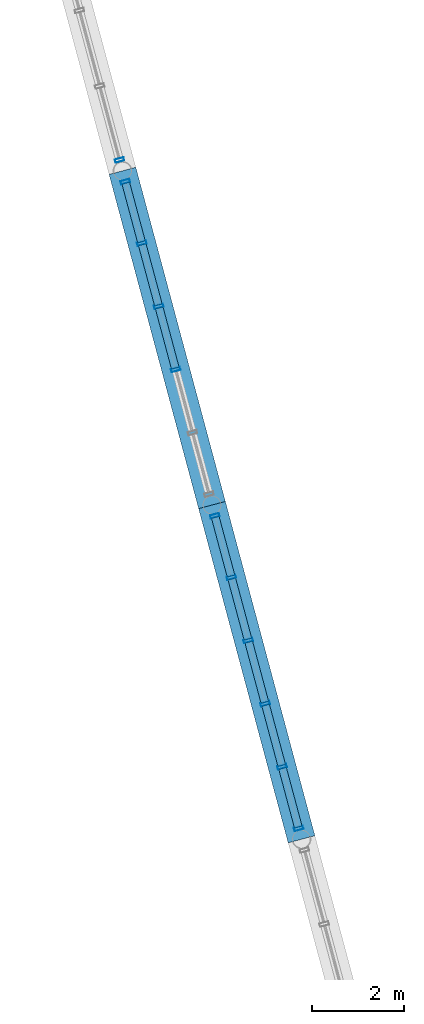
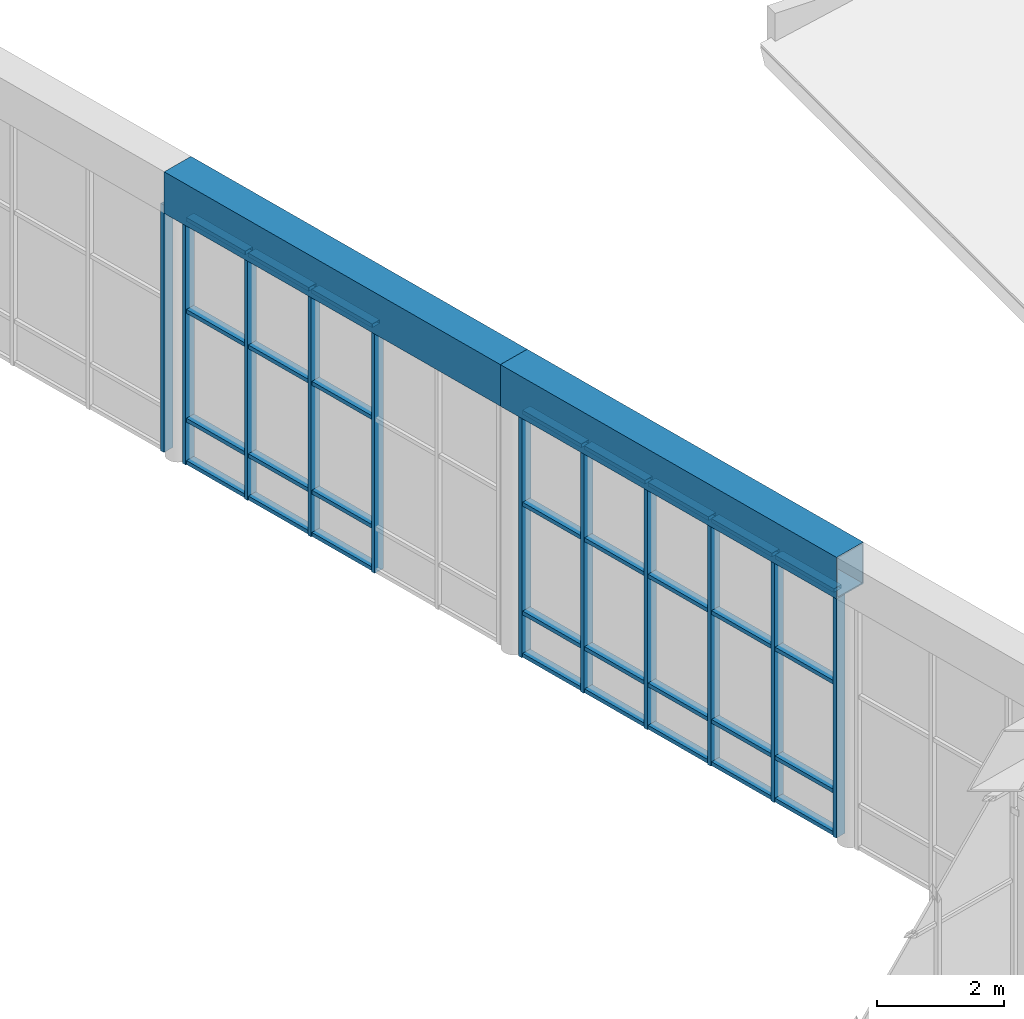
# One storey, part 34 of 55: 43 members, 2 beams, 3 elements without a shape of their own.
"""IFC4 building model written with IfcOpenShell, lengths in metres."""

from ifc_helpers import new_model, si_unit, direction, frame, origin, origin_2d, place, context, subcontext, project, spatial, hollow_rectangle, extrude, material, layer, layer_set, material_profile, profile_set, type_object, element, aggregate, save


model = new_model("IFC4")

# Units and contexts
model_context = context("Model", 3, precision=1e-05, world=origin(), true_north=direction((0.0, 1.0)))
body_context = subcontext(model_context, "Body", "Model", "MODEL_VIEW")
ifc_project = project(units=[si_unit("LENGTHUNIT", "METRE"), si_unit("AREAUNIT", "SQUARE_METRE"), si_unit("VOLUMEUNIT", "CUBIC_METRE"), si_unit("PLANEANGLEUNIT", "RADIAN"), si_unit("MASSUNIT", "GRAM", prefix="KILO")], contexts=[model_context])

# Site, building, storey
site_placement = place(None, origin())
site = spatial("IfcSite", under=ifc_project, at=site_placement, CompositionType="ELEMENT")
building_placement = place(site_placement, origin())
building = spatial("IfcBuilding", under=site, at=building_placement, Name="Ventoquebrada Cableway Terminal", CompositionType="ELEMENT")
storey_placement = place(building_placement, frame((0.0, 0.0, 14.39990234375)))
storey = spatial("IfcBuildingStorey", under=building, at=storey_placement, Name="L03", CompositionType="ELEMENT", Elevation=14.39990234375)

# Curtain wall, members
ifc_material_1 = material(Name="Anodized thermally-broken aluminium", Category="aluminium")
ifc_layer_1 = layer(ifc_material_1, 0.159912109375)
ifc_layer_set_1 = layer_set([ifc_layer_1], Name="Anodized thermally-broken aluminium")
curtain_wall_type_1 = type_object("IfcCurtainWallType", Name="CW-T44", PredefinedType="USERDEFINED", material=ifc_layer_set_1)
curtain_wall_1_placement = place(storey_placement, origin())
curtain_wall_1 = element("IfcCurtainWall", 1, at=curtain_wall_1_placement, inside=storey, type_object=curtain_wall_type_1, Name="Unitised glazed curtain wall CW-130", ObjectType="UNITISED CURTAIN WALL", PredefinedType="USERDEFINED")
ifc_material_profile_1 = material_profile(ifc_material_1, hollow_rectangle(XDim=0.074951171875, YDim=0.199951171875, WallThickness=0.00439453125, at=origin_2d()), Name="CW-MUL-75X200")
ifc_profile_set_1 = profile_set([ifc_material_profile_1], Name="Anodized thermally-broken aluminium")
member_type_1 = type_object("IfcMemberType", Name="CWM-02", PredefinedType="MULLION", material=ifc_profile_set_1)
member_1_placement = place(storey_placement, frame((85.264892578125, 84.64892578125, -0.0078125), z_axis=(0.0, 0.0, 1.0), x_axis=(-0.258734751187, 0.965948408834, 0.0)))
member_1 = element("IfcMember", 2, at=member_1_placement, type_object=member_type_1, Name="Curtain wall mullion FML-0630", PredefinedType="MULLION", context=body_context, shape_type="SweptSolid", body=[
    extrude(hollow_rectangle(XDim=0.074951171875, YDim=0.199951171875, WallThickness=0.00439453125, at=origin_2d()), origin(), (0.0, 0.0, 1.0), 4.762939453125),
])
member_2_placement = place(storey_placement, frame((84.906982421875, 85.98388671875, -0.0078125), z_axis=(0.0, 0.0, 1.0), x_axis=(-0.258734751187, 0.965948408834, 0.0)))
member_2 = element("IfcMember", 3, at=member_2_placement, type_object=member_type_1, Name="Curtain wall mullion FML-0631", PredefinedType="MULLION", context=body_context, shape_type="SweptSolid", body=[
    extrude(hollow_rectangle(XDim=0.074951171875, YDim=0.199951171875, WallThickness=0.00439453125, at=origin_2d()), origin(), (0.0, 0.0, 1.0), 4.762939453125),
])
member_3_placement = place(storey_placement, frame((84.541015625, 87.35205078125, -0.0078125), z_axis=(0.0, 0.0, 1.0), x_axis=(-0.258734751187, 0.965948408834, 0.0)))
member_3 = element("IfcMember", 4, at=member_3_placement, type_object=member_type_1, Name="Curtain wall mullion FML-0632", PredefinedType="MULLION", context=body_context, shape_type="SweptSolid", body=[
    extrude(hollow_rectangle(XDim=0.074951171875, YDim=0.199951171875, WallThickness=0.00439453125, at=origin_2d()), origin(), (0.0, 0.0, 1.0), 4.762939453125),
])
member_4_placement = place(storey_placement, frame((84.174072265625, 88.720947265625, -0.0078125), z_axis=(0.0, 0.0, 1.0), x_axis=(-0.258734751187, 0.965948408834, 0.0)))
member_4 = element("IfcMember", 5, at=member_4_placement, type_object=member_type_1, Name="Curtain wall mullion FML-0633", PredefinedType="MULLION", context=body_context, shape_type="SweptSolid", body=[
    extrude(hollow_rectangle(XDim=0.074951171875, YDim=0.199951171875, WallThickness=0.00439453125, at=origin_2d()), origin(), (0.0, 0.0, 1.0), 4.762939453125),
])
member_5_placement = place(storey_placement, frame((83.80810546875, 90.089111328125, -0.0078125), z_axis=(0.0, 0.0, 1.0), x_axis=(-0.258734751187, 0.965948408834, 0.0)))
member_5 = element("IfcMember", 6, at=member_5_placement, type_object=member_type_1, Name="Curtain wall mullion FML-0634", PredefinedType="MULLION", context=body_context, shape_type="SweptSolid", body=[
    extrude(hollow_rectangle(XDim=0.074951171875, YDim=0.199951171875, WallThickness=0.00439453125, at=origin_2d()), origin(), (0.0, 0.0, 1.0), 4.762939453125),
])
member_6_placement = place(storey_placement, frame((83.449951171875, 91.424072265625, -0.0078125), z_axis=(0.0, 0.0, 1.0), x_axis=(-0.258734751187, 0.965948408834, 0.0)))
member_6 = element("IfcMember", 7, at=member_6_placement, type_object=member_type_1, Name="Curtain wall mullion FML-0635", PredefinedType="MULLION", context=body_context, shape_type="SweptSolid", body=[
    extrude(hollow_rectangle(XDim=0.074951171875, YDim=0.199951171875, WallThickness=0.00439453125, at=origin_2d()), origin(), (0.0, 0.0, 1.0), 4.762939453125),
])

curtain_wall_2_placement = place(storey_placement, origin())
curtain_wall_2 = element("IfcCurtainWall", 8, at=curtain_wall_2_placement, inside=storey, type_object=curtain_wall_type_1, Name="Unitised glazed curtain wall CW-131", ObjectType="UNITISED CURTAIN WALL", PredefinedType="USERDEFINED")
member_7_placement = place(storey_placement, frame((82.60009765625, 94.596923828125, -0.0078125), z_axis=(0.0, 0.0, 1.0), x_axis=(-0.258785327773, 0.96593486019, 0.0)))
member_7 = element("IfcMember", 9, at=member_7_placement, type_object=member_type_1, Name="Curtain wall mullion FML-0638", PredefinedType="MULLION", context=body_context, shape_type="SweptSolid", body=[
    extrude(hollow_rectangle(XDim=0.074951171875, YDim=0.199951171875, WallThickness=0.00439453125, at=origin_2d()), origin(), (0.0, 0.0, 1.0), 4.762939453125),
])
member_8_placement = place(storey_placement, frame((82.23291015625, 95.965087890625, -0.0078125), z_axis=(0.0, 0.0, 1.0), x_axis=(-0.258785327773, 0.96593486019, 0.0)))
member_8 = element("IfcMember", 10, at=member_8_placement, type_object=member_type_1, Name="Curtain wall mullion FML-0639", PredefinedType="MULLION", context=body_context, shape_type="SweptSolid", body=[
    extrude(hollow_rectangle(XDim=0.074951171875, YDim=0.199951171875, WallThickness=0.00439453125, at=origin_2d()), origin(), (0.0, 0.0, 1.0), 4.762939453125),
])
member_9_placement = place(storey_placement, frame((81.866943359375, 97.333984375, -0.0078125), z_axis=(0.0, 0.0, 1.0), x_axis=(-0.258785327773, 0.96593486019, 0.0)))
member_9 = element("IfcMember", 11, at=member_9_placement, type_object=member_type_1, Name="Curtain wall mullion FML-0640", PredefinedType="MULLION", context=body_context, shape_type="SweptSolid", body=[
    extrude(hollow_rectangle(XDim=0.074951171875, YDim=0.199951171875, WallThickness=0.00439453125, at=origin_2d()), origin(), (0.0, 0.0, 1.0), 4.762939453125),
])
member_10_placement = place(storey_placement, frame((81.509033203125, 98.66796875, -0.0078125), z_axis=(0.0, 0.0, 1.0), x_axis=(-0.258785327773, 0.96593486019, 0.0)))
member_10 = element("IfcMember", 12, at=member_10_placement, type_object=member_type_1, Name="Curtain wall mullion FML-0641", PredefinedType="MULLION", context=body_context, shape_type="SweptSolid", body=[
    extrude(hollow_rectangle(XDim=0.074951171875, YDim=0.199951171875, WallThickness=0.00439453125, at=origin_2d()), origin(), (0.0, 0.0, 1.0), 4.762939453125),
])

# Curtain wall, member
ifc_layer_2 = layer(ifc_material_1, 0.159912109375)
ifc_layer_set_2 = layer_set([ifc_layer_2], Name="Anodized thermally-broken aluminium")
curtain_wall_type_2 = type_object("IfcCurtainWallType", Name="CW-T43", PredefinedType="USERDEFINED", material=ifc_layer_set_2)
curtain_wall_3_placement = place(storey_placement, origin())
curtain_wall_3 = element("IfcCurtainWall", 13, at=curtain_wall_3_placement, inside=storey, type_object=curtain_wall_type_2, Name="Unitised glazed curtain wall CW-132", ObjectType="UNITISED CURTAIN WALL", PredefinedType="USERDEFINED")
member_11_placement = place(storey_placement, frame((81.383056640625, 99.137939453125, -0.0078125), z_axis=(0.0, 0.0, 1.0), x_axis=(-0.258835903649, 0.965921308897, 0.0)))
member_11 = element("IfcMember", 14, at=member_11_placement, type_object=member_type_1, Name="Curtain wall mullion FML-0642", PredefinedType="MULLION", context=body_context, shape_type="SweptSolid", body=[
    extrude(hollow_rectangle(XDim=0.074951171875, YDim=0.199951171875, WallThickness=0.00439453125, at=origin_2d()), origin(), (0.0, 0.0, 1.0), 4.762939453125),
])
aggregate(curtain_wall_3, [member_11])

# Member
ifc_material_profile_2 = material_profile(ifc_material_1, hollow_rectangle(XDim=0.074951171875, YDim=0.169921875, WallThickness=0.00439453125, at=origin_2d()), Name="CW-TRN-75X170")
ifc_profile_set_2 = profile_set([ifc_material_profile_2], Name="Anodized thermally-broken aluminium")
member_type_2 = type_object("IfcMemberType", Name="CWT-03", PredefinedType="USERDEFINED", material=ifc_profile_set_2)
member_12_placement = place(storey_placement, frame((85.257080078125, 84.679931640625, 0.03515625), z_axis=(-0.258989366825, 0.965880172626, 0.0), x_axis=(0.0, 0.0, 1.0)))
member_12 = element("IfcMember", 15, at=member_12_placement, type_object=member_type_2, Name="Curtain wall transom FTR-1868", ObjectType="TRANSOM", PredefinedType="USERDEFINED", context=body_context, shape_type="SweptSolid", body=[
    extrude(hollow_rectangle(XDim=0.074951171875, YDim=0.169921875, WallThickness=0.00439453125, at=origin_2d()), origin(), (0.0, 0.0, 1.0), 1.31689453125),
])

member_13_placement = place(storey_placement, frame((85.257080078125, 84.679931640625, 0.85009765625), z_axis=(-0.258989366825, 0.965880172626, 0.0), x_axis=(0.0, 0.0, 1.0)))
member_13 = element("IfcMember", 16, at=member_13_placement, type_object=member_type_2, Name="Curtain wall transom FTR-1869", ObjectType="TRANSOM", PredefinedType="USERDEFINED", context=body_context, shape_type="SweptSolid", body=[
    extrude(hollow_rectangle(XDim=0.074951171875, YDim=0.169921875, WallThickness=0.00439453125, at=origin_2d()), origin(), (0.0, 0.0, 1.0), 1.31689453125),
])

member_14_placement = place(storey_placement, frame((85.257080078125, 84.679931640625, 2.945068359375), z_axis=(-0.258989366825, 0.965880172626, 0.0), x_axis=(0.0, 0.0, 1.0)))
member_14 = element("IfcMember", 17, at=member_14_placement, type_object=member_type_2, Name="Curtain wall transom FTR-1870", ObjectType="TRANSOM", PredefinedType="USERDEFINED", context=body_context, shape_type="SweptSolid", body=[
    extrude(hollow_rectangle(XDim=0.074951171875, YDim=0.169921875, WallThickness=0.00439453125, at=origin_2d()), origin(), (0.0, 0.0, 1.0), 1.31689453125),
])

member_15_placement = place(storey_placement, frame((85.257080078125, 84.679931640625, 4.715087890625), z_axis=(-0.258989366825, 0.965880172626, 0.0), x_axis=(0.0, 0.0, 1.0)))
member_15 = element("IfcMember", 18, at=member_15_placement, type_object=member_type_2, Name="Curtain wall transom FTR-1871", ObjectType="TRANSOM", PredefinedType="USERDEFINED", context=body_context, shape_type="SweptSolid", body=[
    extrude(hollow_rectangle(XDim=0.074951171875, YDim=0.169921875, WallThickness=0.00439453125, at=origin_2d()), origin(), (0.0, 0.0, 1.0), 1.31689453125),
])

member_16_placement = place(storey_placement, frame((84.89892578125, 86.014892578125, 0.03515625), z_axis=(-0.258730068632, 0.96594966307, 0.0), x_axis=(0.0, 0.0, 1.0)))
member_16 = element("IfcMember", 19, at=member_16_placement, type_object=member_type_2, Name="Curtain wall transom FTR-1872", ObjectType="TRANSOM", PredefinedType="USERDEFINED", context=body_context, shape_type="SweptSolid", body=[
    extrude(hollow_rectangle(XDim=0.074951171875, YDim=0.169921875, WallThickness=0.00439453125, at=origin_2d()), origin(), (0.0, 0.0, 1.0), 1.352294921875),
])

member_17_placement = place(storey_placement, frame((84.89892578125, 86.014892578125, 0.85009765625), z_axis=(-0.258730068632, 0.96594966307, 0.0), x_axis=(0.0, 0.0, 1.0)))
member_17 = element("IfcMember", 20, at=member_17_placement, type_object=member_type_2, Name="Curtain wall transom FTR-1873", ObjectType="TRANSOM", PredefinedType="USERDEFINED", context=body_context, shape_type="SweptSolid", body=[
    extrude(hollow_rectangle(XDim=0.074951171875, YDim=0.169921875, WallThickness=0.00439453125, at=origin_2d()), origin(), (0.0, 0.0, 1.0), 1.352294921875),
])

member_18_placement = place(storey_placement, frame((84.89892578125, 86.014892578125, 2.945068359375), z_axis=(-0.258730068632, 0.96594966307, 0.0), x_axis=(0.0, 0.0, 1.0)))
member_18 = element("IfcMember", 21, at=member_18_placement, type_object=member_type_2, Name="Curtain wall transom FTR-1874", ObjectType="TRANSOM", PredefinedType="USERDEFINED", context=body_context, shape_type="SweptSolid", body=[
    extrude(hollow_rectangle(XDim=0.074951171875, YDim=0.169921875, WallThickness=0.00439453125, at=origin_2d()), origin(), (0.0, 0.0, 1.0), 1.352294921875),
])

member_19_placement = place(storey_placement, frame((84.89892578125, 86.014892578125, 4.715087890625), z_axis=(-0.258730068632, 0.96594966307, 0.0), x_axis=(0.0, 0.0, 1.0)))
member_19 = element("IfcMember", 22, at=member_19_placement, type_object=member_type_2, Name="Curtain wall transom FTR-1875", ObjectType="TRANSOM", PredefinedType="USERDEFINED", context=body_context, shape_type="SweptSolid", body=[
    extrude(hollow_rectangle(XDim=0.074951171875, YDim=0.169921875, WallThickness=0.00439453125, at=origin_2d()), origin(), (0.0, 0.0, 1.0), 1.352294921875),
])

member_20_placement = place(storey_placement, frame((84.531982421875, 87.384033203125, 0.03515625), z_axis=(-0.258281322755, 0.966069748163, 0.0), x_axis=(0.0, 0.0, 1.0)))
member_20 = element("IfcMember", 23, at=member_20_placement, type_object=member_type_2, Name="Curtain wall transom FTR-1876", ObjectType="TRANSOM", PredefinedType="USERDEFINED", context=body_context, shape_type="SweptSolid", body=[
    extrude(hollow_rectangle(XDim=0.074951171875, YDim=0.169921875, WallThickness=0.00439453125, at=origin_2d()), origin(), (0.0, 0.0, 1.0), 1.350830078125),
])

member_21_placement = place(storey_placement, frame((84.531982421875, 87.384033203125, 0.85009765625), z_axis=(-0.258281322755, 0.966069748163, 0.0), x_axis=(0.0, 0.0, 1.0)))
member_21 = element("IfcMember", 24, at=member_21_placement, type_object=member_type_2, Name="Curtain wall transom FTR-1877", ObjectType="TRANSOM", PredefinedType="USERDEFINED", context=body_context, shape_type="SweptSolid", body=[
    extrude(hollow_rectangle(XDim=0.074951171875, YDim=0.169921875, WallThickness=0.00439453125, at=origin_2d()), origin(), (0.0, 0.0, 1.0), 1.350830078125),
])

member_22_placement = place(storey_placement, frame((84.531982421875, 87.384033203125, 2.945068359375), z_axis=(-0.258281322755, 0.966069748163, 0.0), x_axis=(0.0, 0.0, 1.0)))
member_22 = element("IfcMember", 25, at=member_22_placement, type_object=member_type_2, Name="Curtain wall transom FTR-1878", ObjectType="TRANSOM", PredefinedType="USERDEFINED", context=body_context, shape_type="SweptSolid", body=[
    extrude(hollow_rectangle(XDim=0.074951171875, YDim=0.169921875, WallThickness=0.00439453125, at=origin_2d()), origin(), (0.0, 0.0, 1.0), 1.350830078125),
])

member_23_placement = place(storey_placement, frame((84.531982421875, 87.384033203125, 4.715087890625), z_axis=(-0.258281322755, 0.966069748163, 0.0), x_axis=(0.0, 0.0, 1.0)))
member_23 = element("IfcMember", 26, at=member_23_placement, type_object=member_type_2, Name="Curtain wall transom FTR-1879", ObjectType="TRANSOM", PredefinedType="USERDEFINED", context=body_context, shape_type="SweptSolid", body=[
    extrude(hollow_rectangle(XDim=0.074951171875, YDim=0.169921875, WallThickness=0.00439453125, at=origin_2d()), origin(), (0.0, 0.0, 1.0), 1.350830078125),
])

member_24_placement = place(storey_placement, frame((84.166015625, 88.751953125, 0.03515625), z_axis=(-0.258898521832, 0.965904527059, 0.0), x_axis=(0.0, 0.0, 1.0)))
member_24 = element("IfcMember", 27, at=member_24_placement, type_object=member_type_2, Name="Curtain wall transom FTR-1880", ObjectType="TRANSOM", PredefinedType="USERDEFINED", context=body_context, shape_type="SweptSolid", body=[
    extrude(hollow_rectangle(XDim=0.074951171875, YDim=0.169921875, WallThickness=0.00439453125, at=origin_2d()), origin(), (0.0, 0.0, 1.0), 1.352294921875),
])

member_25_placement = place(storey_placement, frame((84.166015625, 88.751953125, 0.85009765625), z_axis=(-0.258898521832, 0.965904527059, 0.0), x_axis=(0.0, 0.0, 1.0)))
member_25 = element("IfcMember", 28, at=member_25_placement, type_object=member_type_2, Name="Curtain wall transom FTR-1881", ObjectType="TRANSOM", PredefinedType="USERDEFINED", context=body_context, shape_type="SweptSolid", body=[
    extrude(hollow_rectangle(XDim=0.074951171875, YDim=0.169921875, WallThickness=0.00439453125, at=origin_2d()), origin(), (0.0, 0.0, 1.0), 1.352294921875),
])

member_26_placement = place(storey_placement, frame((84.166015625, 88.751953125, 2.945068359375), z_axis=(-0.258898521832, 0.965904527059, 0.0), x_axis=(0.0, 0.0, 1.0)))
member_26 = element("IfcMember", 29, at=member_26_placement, type_object=member_type_2, Name="Curtain wall transom FTR-1882", ObjectType="TRANSOM", PredefinedType="USERDEFINED", context=body_context, shape_type="SweptSolid", body=[
    extrude(hollow_rectangle(XDim=0.074951171875, YDim=0.169921875, WallThickness=0.00439453125, at=origin_2d()), origin(), (0.0, 0.0, 1.0), 1.352294921875),
])

member_27_placement = place(storey_placement, frame((84.166015625, 88.751953125, 4.715087890625), z_axis=(-0.258898521832, 0.965904527059, 0.0), x_axis=(0.0, 0.0, 1.0)))
member_27 = element("IfcMember", 30, at=member_27_placement, type_object=member_type_2, Name="Curtain wall transom FTR-1883", ObjectType="TRANSOM", PredefinedType="USERDEFINED", context=body_context, shape_type="SweptSolid", body=[
    extrude(hollow_rectangle(XDim=0.074951171875, YDim=0.169921875, WallThickness=0.00439453125, at=origin_2d()), origin(), (0.0, 0.0, 1.0), 1.352294921875),
])

member_28_placement = place(storey_placement, frame((83.799072265625, 90.12109375, 0.03515625), z_axis=(-0.258989366825, 0.965880172626, 0.0), x_axis=(0.0, 0.0, 1.0)))
member_28 = element("IfcMember", 31, at=member_28_placement, type_object=member_type_2, Name="Curtain wall transom FTR-1884", ObjectType="TRANSOM", PredefinedType="USERDEFINED", context=body_context, shape_type="SweptSolid", body=[
    extrude(hollow_rectangle(XDim=0.074951171875, YDim=0.169921875, WallThickness=0.00439453125, at=origin_2d()), origin(), (0.0, 0.0, 1.0), 1.31689453125),
])

member_29_placement = place(storey_placement, frame((83.799072265625, 90.12109375, 0.85009765625), z_axis=(-0.258989366825, 0.965880172626, 0.0), x_axis=(0.0, 0.0, 1.0)))
member_29 = element("IfcMember", 32, at=member_29_placement, type_object=member_type_2, Name="Curtain wall transom FTR-1885", ObjectType="TRANSOM", PredefinedType="USERDEFINED", context=body_context, shape_type="SweptSolid", body=[
    extrude(hollow_rectangle(XDim=0.074951171875, YDim=0.169921875, WallThickness=0.00439453125, at=origin_2d()), origin(), (0.0, 0.0, 1.0), 1.31689453125),
])

member_30_placement = place(storey_placement, frame((83.799072265625, 90.12109375, 2.945068359375), z_axis=(-0.258989366825, 0.965880172626, 0.0), x_axis=(0.0, 0.0, 1.0)))
member_30 = element("IfcMember", 33, at=member_30_placement, type_object=member_type_2, Name="Curtain wall transom FTR-1886", ObjectType="TRANSOM", PredefinedType="USERDEFINED", context=body_context, shape_type="SweptSolid", body=[
    extrude(hollow_rectangle(XDim=0.074951171875, YDim=0.169921875, WallThickness=0.00439453125, at=origin_2d()), origin(), (0.0, 0.0, 1.0), 1.31689453125),
])

member_31_placement = place(storey_placement, frame((83.799072265625, 90.12109375, 4.715087890625), z_axis=(-0.258989366825, 0.965880172626, 0.0), x_axis=(0.0, 0.0, 1.0)))
member_31 = element("IfcMember", 34, at=member_31_placement, type_object=member_type_2, Name="Curtain wall transom FTR-1887", ObjectType="TRANSOM", PredefinedType="USERDEFINED", context=body_context, shape_type="SweptSolid", body=[
    extrude(hollow_rectangle(XDim=0.074951171875, YDim=0.169921875, WallThickness=0.00439453125, at=origin_2d()), origin(), (0.0, 0.0, 1.0), 1.31689453125),
])

aggregate(curtain_wall_1, [member_1, member_2, member_3, member_4, member_5, member_6, member_12, member_13, member_14, member_15, member_16, member_17, member_18, member_19, member_20, member_21, member_22, member_23, member_24, member_25, member_26, member_27, member_28, member_29, member_30, member_31])

member_32_placement = place(storey_placement, frame((82.591064453125, 94.6279296875, 0.03515625), z_axis=(-0.25822456742, 0.966084920067, 0.0), x_axis=(0.0, 0.0, 1.0)))
member_32 = element("IfcMember", 35, at=member_32_placement, type_object=member_type_2, Name="Curtain wall transom FTR-1896", ObjectType="TRANSOM", PredefinedType="USERDEFINED", context=body_context, shape_type="SweptSolid", body=[
    extrude(hollow_rectangle(XDim=0.074951171875, YDim=0.169921875, WallThickness=0.00439453125, at=origin_2d()), origin(), (0.0, 0.0, 1.0), 1.35205078125),
])

member_33_placement = place(storey_placement, frame((82.591064453125, 94.6279296875, 0.85009765625), z_axis=(-0.25822456742, 0.966084920067, 0.0), x_axis=(0.0, 0.0, 1.0)))
member_33 = element("IfcMember", 36, at=member_33_placement, type_object=member_type_2, Name="Curtain wall transom FTR-1897", ObjectType="TRANSOM", PredefinedType="USERDEFINED", context=body_context, shape_type="SweptSolid", body=[
    extrude(hollow_rectangle(XDim=0.074951171875, YDim=0.169921875, WallThickness=0.00439453125, at=origin_2d()), origin(), (0.0, 0.0, 1.0), 1.35205078125),
])

member_34_placement = place(storey_placement, frame((82.591064453125, 94.6279296875, 2.945068359375), z_axis=(-0.25822456742, 0.966084920067, 0.0), x_axis=(0.0, 0.0, 1.0)))
member_34 = element("IfcMember", 37, at=member_34_placement, type_object=member_type_2, Name="Curtain wall transom FTR-1898", ObjectType="TRANSOM", PredefinedType="USERDEFINED", context=body_context, shape_type="SweptSolid", body=[
    extrude(hollow_rectangle(XDim=0.074951171875, YDim=0.169921875, WallThickness=0.00439453125, at=origin_2d()), origin(), (0.0, 0.0, 1.0), 1.35205078125),
])

member_35_placement = place(storey_placement, frame((82.591064453125, 94.6279296875, 4.715087890625), z_axis=(-0.25822456742, 0.966084920067, 0.0), x_axis=(0.0, 0.0, 1.0)))
member_35 = element("IfcMember", 38, at=member_35_placement, type_object=member_type_2, Name="Curtain wall transom FTR-1899", ObjectType="TRANSOM", PredefinedType="USERDEFINED", context=body_context, shape_type="SweptSolid", body=[
    extrude(hollow_rectangle(XDim=0.074951171875, YDim=0.169921875, WallThickness=0.00439453125, at=origin_2d()), origin(), (0.0, 0.0, 1.0), 1.35205078125),
])

member_36_placement = place(storey_placement, frame((82.22509765625, 95.9970703125, 0.03515625), z_axis=(-0.259124454698, 0.965843940281, 0.0), x_axis=(0.0, 0.0, 1.0)))
member_36 = element("IfcMember", 39, at=member_36_placement, type_object=member_type_2, Name="Curtain wall transom FTR-1900", ObjectType="TRANSOM", PredefinedType="USERDEFINED", context=body_context, shape_type="SweptSolid", body=[
    extrude(hollow_rectangle(XDim=0.074951171875, YDim=0.169921875, WallThickness=0.00439453125, at=origin_2d()), origin(), (0.0, 0.0, 1.0), 1.35107421875),
])

member_37_placement = place(storey_placement, frame((82.22509765625, 95.9970703125, 0.85009765625), z_axis=(-0.259124454698, 0.965843940281, 0.0), x_axis=(0.0, 0.0, 1.0)))
member_37 = element("IfcMember", 40, at=member_37_placement, type_object=member_type_2, Name="Curtain wall transom FTR-1901", ObjectType="TRANSOM", PredefinedType="USERDEFINED", context=body_context, shape_type="SweptSolid", body=[
    extrude(hollow_rectangle(XDim=0.074951171875, YDim=0.169921875, WallThickness=0.00439453125, at=origin_2d()), origin(), (0.0, 0.0, 1.0), 1.35107421875),
])

member_38_placement = place(storey_placement, frame((82.22509765625, 95.9970703125, 2.945068359375), z_axis=(-0.259124454698, 0.965843940281, 0.0), x_axis=(0.0, 0.0, 1.0)))
member_38 = element("IfcMember", 41, at=member_38_placement, type_object=member_type_2, Name="Curtain wall transom FTR-1902", ObjectType="TRANSOM", PredefinedType="USERDEFINED", context=body_context, shape_type="SweptSolid", body=[
    extrude(hollow_rectangle(XDim=0.074951171875, YDim=0.169921875, WallThickness=0.00439453125, at=origin_2d()), origin(), (0.0, 0.0, 1.0), 1.35107421875),
])

member_39_placement = place(storey_placement, frame((82.22509765625, 95.9970703125, 4.715087890625), z_axis=(-0.259124454698, 0.965843940281, 0.0), x_axis=(0.0, 0.0, 1.0)))
member_39 = element("IfcMember", 42, at=member_39_placement, type_object=member_type_2, Name="Curtain wall transom FTR-1903", ObjectType="TRANSOM", PredefinedType="USERDEFINED", context=body_context, shape_type="SweptSolid", body=[
    extrude(hollow_rectangle(XDim=0.074951171875, YDim=0.169921875, WallThickness=0.00439453125, at=origin_2d()), origin(), (0.0, 0.0, 1.0), 1.35107421875),
])

member_40_placement = place(storey_placement, frame((81.85791015625, 97.364990234375, 0.03515625), z_axis=(-0.258816399805, 0.96592653509, 0.0), x_axis=(0.0, 0.0, 1.0)))
member_40 = element("IfcMember", 43, at=member_40_placement, type_object=member_type_2, Name="Curtain wall transom FTR-1904", ObjectType="TRANSOM", PredefinedType="USERDEFINED", context=body_context, shape_type="SweptSolid", body=[
    extrude(hollow_rectangle(XDim=0.074951171875, YDim=0.169921875, WallThickness=0.00439453125, at=origin_2d()), origin(), (0.0, 0.0, 1.0), 1.31689453125),
])

member_41_placement = place(storey_placement, frame((81.85791015625, 97.364990234375, 0.85009765625), z_axis=(-0.258816399805, 0.96592653509, 0.0), x_axis=(0.0, 0.0, 1.0)))
member_41 = element("IfcMember", 44, at=member_41_placement, type_object=member_type_2, Name="Curtain wall transom FTR-1905", ObjectType="TRANSOM", PredefinedType="USERDEFINED", context=body_context, shape_type="SweptSolid", body=[
    extrude(hollow_rectangle(XDim=0.074951171875, YDim=0.169921875, WallThickness=0.00439453125, at=origin_2d()), origin(), (0.0, 0.0, 1.0), 1.31689453125),
])

member_42_placement = place(storey_placement, frame((81.85791015625, 97.364990234375, 2.945068359375), z_axis=(-0.258816399805, 0.96592653509, 0.0), x_axis=(0.0, 0.0, 1.0)))
member_42 = element("IfcMember", 45, at=member_42_placement, type_object=member_type_2, Name="Curtain wall transom FTR-1906", ObjectType="TRANSOM", PredefinedType="USERDEFINED", context=body_context, shape_type="SweptSolid", body=[
    extrude(hollow_rectangle(XDim=0.074951171875, YDim=0.169921875, WallThickness=0.00439453125, at=origin_2d()), origin(), (0.0, 0.0, 1.0), 1.31689453125),
])

member_43_placement = place(storey_placement, frame((81.85791015625, 97.364990234375, 4.715087890625), z_axis=(-0.258816399805, 0.96592653509, 0.0), x_axis=(0.0, 0.0, 1.0)))
member_43 = element("IfcMember", 46, at=member_43_placement, type_object=member_type_2, Name="Curtain wall transom FTR-1907", ObjectType="TRANSOM", PredefinedType="USERDEFINED", context=body_context, shape_type="SweptSolid", body=[
    extrude(hollow_rectangle(XDim=0.074951171875, YDim=0.169921875, WallThickness=0.00439453125, at=origin_2d()), origin(), (0.0, 0.0, 1.0), 1.31689453125),
])

aggregate(curtain_wall_2, [member_7, member_8, member_9, member_10, member_32, member_33, member_34, member_35, member_36, member_37, member_38, member_39, member_40, member_41, member_42, member_43])

# Beams
ifc_material_2 = material(Name="Steel ASTM A572 Grade 50", Category="steel")
ifc_material_profile_3 = material_profile(ifc_material_2, hollow_rectangle(XDim=0.60009765625, YDim=0.800048828125, WallThickness=0.02490234375, at=origin_2d()), Name="BOX600X800X25")
ifc_profile_set_3 = profile_set([ifc_material_profile_3], Name="Steel ASTM A572 Grade 50")
beam_type = type_object("IfcBeamType", Name="RNG-ST01", PredefinedType="BEAM", material=ifc_profile_set_3)
beam_1_placement = place(storey_placement, frame((85.327880859375, 84.4140625, 5.2001953125), z_axis=(-0.258776761059, 0.965937155273, 0.0), x_axis=(-0.965937155273, -0.258776761059, 0.0)))
element("IfcBeam", 47, at=beam_1_placement, inside=storey, type_object=beam_type, Name="Gridshell compression-tension ring beam FBM-1133", PredefinedType="BEAM", context=body_context, shape_type="SweptSolid", body=[
    extrude(hollow_rectangle(XDim=0.60009765625, YDim=0.800048828125, WallThickness=0.02490234375, at=origin_2d()), origin(), (0.0, 0.0, 1.0), 7.500244140625),
])
beam_2_placement = place(storey_placement, frame((83.386962890625, 91.658935546875, 5.2001953125), z_axis=(-0.258801172479, 0.965930615067, 0.0), x_axis=(-0.965930615067, -0.258801172479, 0.0)))
element("IfcBeam", 48, at=beam_2_placement, inside=storey, type_object=beam_type, Name="Gridshell compression-tension ring beam FBM-1134", PredefinedType="BEAM", context=body_context, shape_type="SweptSolid", body=[
    extrude(hollow_rectangle(XDim=0.60009765625, YDim=0.800048828125, WallThickness=0.02490234375, at=origin_2d()), origin(), (0.0, 0.0, 1.0), 7.499755859375),
])

save(model, "model.ifc")
